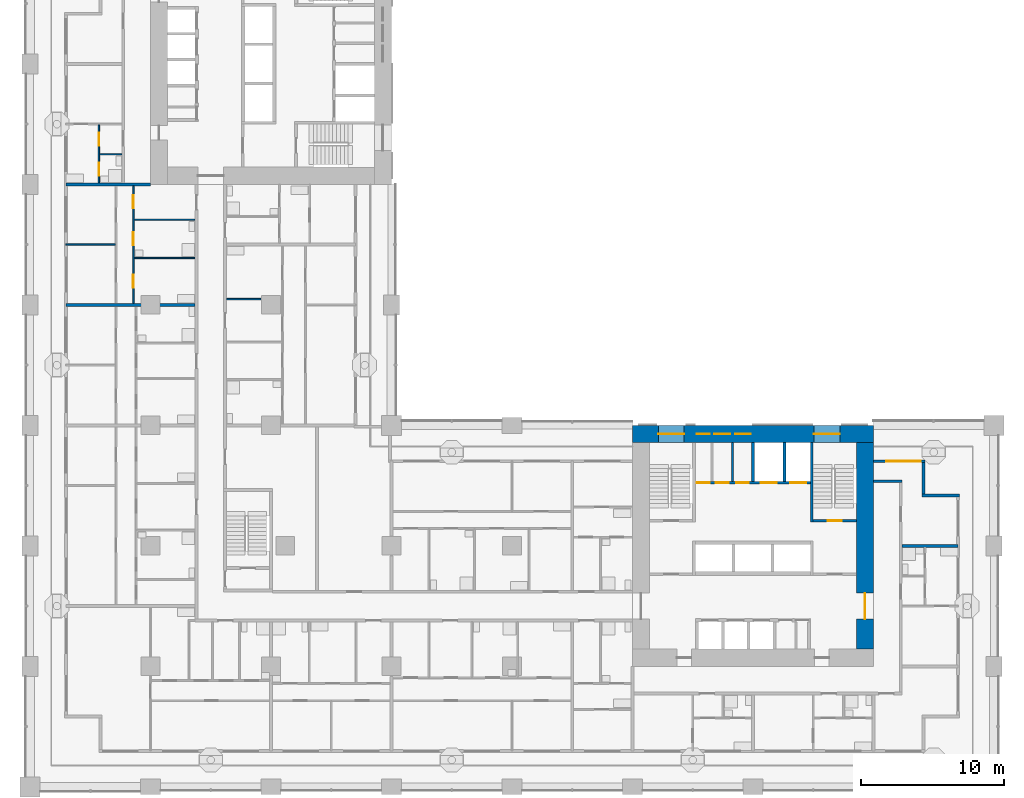
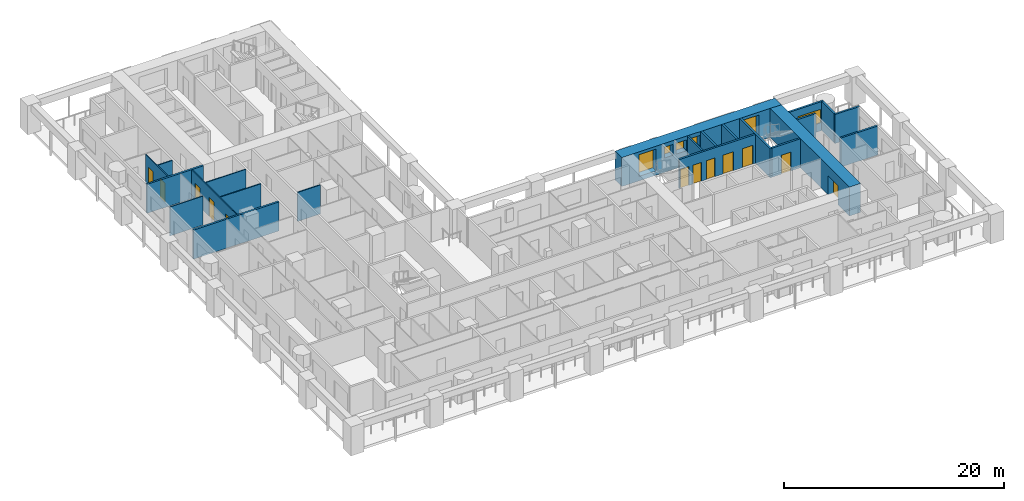
# One storey, part 8 of 22: 22 walls, 12 doors, 6 windows, 18 openings.
"""IFC4 building model written with IfcOpenShell, lengths in metres."""

from ifc_helpers import new_model, si_unit, direction, frame, frame_2d, origin, place, context, subcontext, project, spatial, rectangle, extrude, material, layer, layer_set, type_object, element, fill, save


model = new_model("IFC4")

# Units and contexts
model_context = context("Model", 3, precision=1e-05, world=origin(), true_north=direction((0.0, 1.0)))
body_context = subcontext(model_context, "Body", "Model", "MODEL_VIEW")
ifc_project = project(units=[si_unit("LENGTHUNIT", "METRE"), si_unit("AREAUNIT", "SQUARE_METRE"), si_unit("VOLUMEUNIT", "CUBIC_METRE"), si_unit("PLANEANGLEUNIT", "RADIAN"), si_unit("MASSUNIT", "GRAM", prefix="KILO")], contexts=[model_context])

# Site, building, storey
site_placement = place(None, origin())
site = spatial("IfcSite", under=ifc_project, at=site_placement, CompositionType="ELEMENT")
building_placement = place(site_placement, origin())
building = spatial("IfcBuilding", under=site, at=building_placement, Name="Vermilion Gate Residences", CompositionType="ELEMENT")
storey_placement = place(building_placement, frame((0.0, 0.0, 56.699951171875)))
storey = spatial("IfcBuildingStorey", under=building, at=storey_placement, Name="L13", CompositionType="ELEMENT", Elevation=56.699951171875)

# Walls
ifc_material_1 = material(Name="Masonry blockwork", Category="masonry")
ifc_layer_1 = layer(ifc_material_1, 0.14990234375)
ifc_layer_set_1 = layer_set([ifc_layer_1], Name="BLOCKWORK PARTITION 150 EI 120")
wall_type_1 = type_object("IfcWallType", Name="BLOCKWORK PARTITION 150 EI 120", PredefinedType="PARTITIONING", material=ifc_layer_set_1)
wall_1_placement = place(storey_placement, frame((48.965087890625, 21.300048828125, 0.0), z_axis=(0.0, 0.0, 1.0), x_axis=(0.0, 1.0, 0.0)))
element("IfcWall", 1, at=wall_1_placement, inside=storey, type_object=wall_type_1, Name="Core room partition A13-NR-P1", PredefinedType="PARTITIONING", context=body_context, shape_type="SweptSolid", body=[
    extrude(rectangle(XDim=2.699951171875, YDim=0.14990234375, at=frame_2d((1.35009765625, 0.0))), origin(), (0.0, 0.0, 1.0), 3.219970703125),
])
ifc_material_2 = material(Name="Insulated steel stud wall with terracotta rainscreen", Category="masonry")
ifc_layer_2 = layer(ifc_material_2, 0.199951171875)
ifc_layer_set_2 = layer_set([ifc_layer_2], Name="EXTERNAL WALL 200 TERRACOTTA RAINSCREEN")
wall_type_2 = type_object("IfcWallType", Name="EXTERNAL WALL 200 TERRACOTTA RAINSCREEN", PredefinedType="SOLIDWALL", material=ifc_layer_set_2)
wall_2_placement = place(storey_placement, frame((64.800048828125, 20.300048828125, 0.0), z_axis=(0.0, 0.0, 1.0), x_axis=(-1.0, 0.0, 0.0)))
element("IfcWall", 2, at=wall_2_placement, inside=storey, type_object=wall_type_2, Name="External wall", PredefinedType="SOLIDWALL", context=body_context, shape_type="SweptSolid", body=[
    extrude(rectangle(XDim=2.60009765625, YDim=0.199951171875, at=frame_2d((1.300048828125, 0.0))), origin(), (0.0, 0.0, 1.0), 3.219970703125),
])
wall_3_placement = place(storey_placement, frame((62.300048828125, 20.39990234375, 0.0), z_axis=(0.0, 0.0, 1.0), x_axis=(0.0, 1.0, 0.0)))
element("IfcWall", 3, at=wall_3_placement, inside=storey, type_object=wall_type_2, Name="External wall", PredefinedType="SOLIDWALL", context=body_context, shape_type="SweptSolid", body=[
    extrude(rectangle(XDim=2.2001953125, YDim=0.199951171875, at=frame_2d((1.10009765625, 0.0))), origin(), (0.0, 0.0, 1.0), 3.219970703125),
])

# Wall, opening, window
wall_4_placement = place(storey_placement, frame((62.39990234375, 22.699951171875, 0.0), z_axis=(0.0, 0.0, 1.0), x_axis=(-1.0, 0.0, 0.0)))
wall_4 = element("IfcWall", 4, at=wall_4_placement, inside=storey, type_object=wall_type_2, Name="External wall", PredefinedType="SOLIDWALL", context=body_context, shape_type="SweptSolid", body=[
    extrude(rectangle(XDim=3.599853515625, YDim=0.199951171875, at=frame_2d((1.7998046875, 0.0))), origin(), (0.0, 0.0, 1.0), 3.219970703125),
])
opening_1_placement = place(wall_4_placement, frame((0.300048828125, 0.0, 0.89990234375)))
opening_1 = element("IfcOpeningElement", 5, at=opening_1_placement, cuts=wall_4, Name="Opening WE13032", PredefinedType="OPENING", context=body_context, shape_type="SweptSolid", body=[
    extrude(rectangle(XDim=2.39990234375, YDim=1.5, at=frame_2d((1.199951171875, 0.75))), frame((0.0, 0.10986328125, 0.0), z_axis=(0.0, -1.0, 0.0), x_axis=(1.0, 0.0, 0.0)), (0.0, 0.0, 1.0), 0.219970703125),
])
ifc_material_3 = material(Name="Aluminium and clear glass", Category="aluminium")
window_type_1 = type_object("IfcWindowType", Name="WINDOW 2400 X 1500", PartitioningType="SINGLE_PANEL", PredefinedType="WINDOW", material=ifc_material_3)
window_1_placement = place(opening_1_placement, origin())
window_1 = element("IfcWindow", 6, at=window_1_placement, inside=storey, type_object=window_type_1, Name="Window", OverallHeight=1.5, OverallWidth=2.39990234375, PartitioningType="SINGLE_PANEL", PredefinedType="WINDOW", context=body_context, shape_type="SweptSolid", body=[
    extrude(rectangle(XDim=2.39990234375, YDim=1.5, at=frame_2d((1.199951171875, 0.75))), frame((0.0, 0.030029296875, 0.0), z_axis=(0.0, -1.0, 0.0), x_axis=(1.0, 0.0, 0.0)), (0.0, 0.0, 1.0), 0.06005859375),
])
fill(opening_1, window_1)

# Walls
ifc_material_4 = material(Name="Plasterboard on steel studs", Category="steel")
ifc_layer_3 = layer(ifc_material_4, 0.10009765625)
ifc_layer_set_3 = layer_set([ifc_layer_3], Name="PARTITION 100")
wall_type_3 = type_object("IfcWallType", Name="PARTITION 100", PredefinedType="PARTITIONING", material=ifc_layer_set_3)
wall_5_placement = place(storey_placement, frame((13.699951171875, 34.0, 0.0), z_axis=(0.0, 0.0, 1.0), x_axis=(1.0, 0.0, 0.0)))
element("IfcWall", 7, at=wall_5_placement, inside=storey, type_object=wall_type_3, Name="Partition", PredefinedType="PARTITIONING", context=body_context, shape_type="SweptSolid", body=[
    extrude(rectangle(XDim=2.400146484375, YDim=0.10009765625, at=frame_2d((1.2001953125, 0.0))), origin(), (0.0, 0.0, 1.0), 3.219970703125),
])
wall_6_placement = place(storey_placement, frame((7.25, 36.866943359375, 0.0), z_axis=(0.0, 0.0, 1.0), x_axis=(1.0, 0.0, 0.0)))
element("IfcWall", 8, at=wall_6_placement, inside=storey, type_object=wall_type_3, Name="Partition", PredefinedType="PARTITIONING", context=body_context, shape_type="SweptSolid", body=[
    extrude(rectangle(XDim=4.25, YDim=0.10009765625, at=frame_2d((2.125, 0.0))), origin(), (0.0, 0.0, 1.0), 3.219970703125),
])
wall_7_placement = place(storey_placement, frame((2.5, 37.800048828125, 0.0), z_axis=(0.0, 0.0, 1.0), x_axis=(1.0, 0.0, 0.0)))
element("IfcWall", 9, at=wall_7_placement, inside=storey, type_object=wall_type_3, Name="Partition", PredefinedType="PARTITIONING", context=body_context, shape_type="SweptSolid", body=[
    extrude(rectangle(XDim=3.449951171875, YDim=0.10009765625, at=frame_2d((1.72509765625, 0.0))), origin(), (0.0, 0.0, 1.0), 3.219970703125),
])
wall_8_placement = place(storey_placement, frame((7.25, 39.532958984375, 0.0), z_axis=(0.0, 0.0, 1.0), x_axis=(1.0, 0.0, 0.0)))
element("IfcWall", 10, at=wall_8_placement, inside=storey, type_object=wall_type_3, Name="Partition", PredefinedType="PARTITIONING", context=body_context, shape_type="SweptSolid", body=[
    extrude(rectangle(XDim=4.25, YDim=0.10009765625, at=frame_2d((2.125, 0.0))), origin(), (0.0, 0.0, 1.0), 3.219970703125),
])
wall_9_placement = place(storey_placement, frame((4.85009765625, 44.10009765625, 0.0), z_axis=(0.0, 0.0, 1.0), x_axis=(1.0, 0.0, 0.0)))
element("IfcWall", 11, at=wall_9_placement, inside=storey, type_object=wall_type_3, Name="Partition", PredefinedType="PARTITIONING", context=body_context, shape_type="SweptSolid", body=[
    extrude(rectangle(XDim=1.5498046875, YDim=0.10009765625, at=frame_2d((0.77490234375, 0.0))), origin(), (0.0, 0.0, 1.0), 3.219970703125),
])

# Wall, openings, doors
wall_10_placement = place(storey_placement, frame((4.800048828125, 42.10009765625, 0.0), z_axis=(0.0, 0.0, 1.0), x_axis=(0.0, 1.0, 0.0)))
wall_10 = element("IfcWall", 12, at=wall_10_placement, inside=storey, type_object=wall_type_3, Name="Partition", PredefinedType="PARTITIONING", context=body_context, shape_type="SweptSolid", body=[
    extrude(rectangle(XDim=4.0498046875, YDim=0.10009765625, at=frame_2d((2.02490234375, 0.0))), origin(), (0.0, 0.0, 1.0), 3.219970703125),
])
opening_2_placement = place(wall_10_placement, frame((2.60009765625, 0.0, 0.0)))
opening_2 = element("IfcOpeningElement", 13, at=opening_2_placement, cuts=wall_10, Name="Opening DA13045", PredefinedType="OPENING", context=body_context, shape_type="SweptSolid", body=[
    extrude(rectangle(XDim=0.89990234375, YDim=2.10009765625, at=frame_2d((0.449951171875, 1.050048828125))), frame((0.0, 0.06005859375, 0.0), z_axis=(0.0, -1.0, 0.0), x_axis=(1.0, 0.0, 0.0)), (0.0, 0.0, 1.0), 0.1201171875),
])
opening_3_placement = place(wall_10_placement, frame((0.5, 0.0, 0.0)))
opening_3 = element("IfcOpeningElement", 14, at=opening_3_placement, cuts=wall_10, Name="Opening DA13046", PredefinedType="OPENING", context=body_context, shape_type="SweptSolid", body=[
    extrude(rectangle(XDim=0.89990234375, YDim=2.10009765625, at=frame_2d((0.449951171875, 1.050048828125))), frame((0.0, 0.06005859375, 0.0), z_axis=(0.0, -1.0, 0.0), x_axis=(1.0, 0.0, 0.0)), (0.0, 0.0, 1.0), 0.1201171875),
])
ifc_material_5 = material(Name="Timber", Category="wood")
door_type_1 = type_object("IfcDoorType", Name="INTERIOR DOOR 900 X 2100", OperationType="SINGLE_SWING_LEFT", PredefinedType="DOOR", material=ifc_material_5)
door_1_placement = place(opening_2_placement, origin())
door_1 = element("IfcDoor", 15, at=door_1_placement, inside=storey, type_object=door_type_1, Name="Interior door", OperationType="SINGLE_SWING_RIGHT", OverallHeight=2.10009765625, OverallWidth=0.89990234375, PredefinedType="DOOR", context=body_context, shape_type="SweptSolid", body=[
    extrude(rectangle(XDim=0.89990234375, YDim=2.10009765625, at=frame_2d((0.449951171875, 1.050048828125))), frame((0.0, 0.02490234375, 0.0), z_axis=(0.0, -1.0, 0.0), x_axis=(1.0, 0.0, 0.0)), (0.0, 0.0, 1.0), 0.050048828125),
])
fill(opening_2, door_1)
door_2_placement = place(opening_3_placement, frame((0.89990234375, 0.0, 0.0), z_axis=(0.0, 0.0, 1.0), x_axis=(-1.0, 0.0, 0.0)))
door_2 = element("IfcDoor", 16, at=door_2_placement, inside=storey, type_object=door_type_1, Name="Interior door", OperationType="SINGLE_SWING_RIGHT", OverallHeight=2.10009765625, OverallWidth=0.89990234375, PredefinedType="DOOR", context=body_context, shape_type="SweptSolid", body=[
    extrude(rectangle(XDim=0.89990234375, YDim=2.10009765625, at=frame_2d((0.449951171875, 1.050048828125))), frame((0.0, 0.02490234375, 0.0), z_axis=(0.0, -1.0, 0.0), x_axis=(1.0, 0.0, 0.0)), (0.0, 0.0, 1.0), 0.050048828125),
])
fill(opening_3, door_2)

wall_11_placement = place(storey_placement, frame((7.199951171875, 33.699951171875, 0.0), z_axis=(0.0, 0.0, 1.0), x_axis=(0.0, 1.0, 0.0)))
wall_11 = element("IfcWall", 17, at=wall_11_placement, inside=storey, type_object=wall_type_3, Name="Partition", PredefinedType="PARTITIONING", context=body_context, shape_type="SweptSolid", body=[
    extrude(rectangle(XDim=8.199951171875, YDim=0.10009765625, at=frame_2d((4.10009765625, 0.0))), origin(), (0.0, 0.0, 1.0), 3.219970703125),
])
opening_4_placement = place(wall_11_placement, frame((6.633056640625, 0.0, 0.0)))
opening_4 = element("IfcOpeningElement", 18, at=opening_4_placement, cuts=wall_11, Name="Opening DA13055", PredefinedType="OPENING", context=body_context, shape_type="SweptSolid", body=[
    extrude(rectangle(XDim=0.89990234375, YDim=2.10009765625, at=frame_2d((0.449951171875, 1.050048828125))), frame((0.0, 0.06005859375, 0.0), z_axis=(0.0, -1.0, 0.0), x_axis=(1.0, 0.0, 0.0)), (0.0, 0.0, 1.0), 0.1201171875),
])
opening_5_placement = place(wall_11_placement, frame((1.10009765625, 0.0, 0.0)))
opening_5 = element("IfcOpeningElement", 19, at=opening_5_placement, cuts=wall_11, Name="Opening DA13056", PredefinedType="OPENING", context=body_context, shape_type="SweptSolid", body=[
    extrude(rectangle(XDim=0.89990234375, YDim=2.10009765625, at=frame_2d((0.449951171875, 1.050048828125))), frame((0.0, 0.06005859375, 0.0), z_axis=(0.0, -1.0, 0.0), x_axis=(1.0, 0.0, 0.0)), (0.0, 0.0, 1.0), 0.1201171875),
])
opening_6_placement = place(wall_11_placement, frame((4.06689453125, 0.0, 0.0)))
opening_6 = element("IfcOpeningElement", 20, at=opening_6_placement, cuts=wall_11, Name="Opening DA13057", PredefinedType="OPENING", context=body_context, shape_type="SweptSolid", body=[
    extrude(rectangle(XDim=0.89990234375, YDim=2.10009765625, at=frame_2d((0.449951171875, 1.050048828125))), frame((0.0, 0.06005859375, 0.0), z_axis=(0.0, -1.0, 0.0), x_axis=(1.0, 0.0, 0.0)), (0.0, 0.0, 1.0), 0.1201171875),
])
door_3_placement = place(opening_4_placement, origin())
door_3 = element("IfcDoor", 21, at=door_3_placement, inside=storey, type_object=door_type_1, Name="Interior door", OperationType="SINGLE_SWING_RIGHT", OverallHeight=2.10009765625, OverallWidth=0.89990234375, PredefinedType="DOOR", context=body_context, shape_type="SweptSolid", body=[
    extrude(rectangle(XDim=0.89990234375, YDim=2.10009765625, at=frame_2d((0.449951171875, 1.050048828125))), frame((0.0, 0.02490234375, 0.0), z_axis=(0.0, -1.0, 0.0), x_axis=(1.0, 0.0, 0.0)), (0.0, 0.0, 1.0), 0.050048828125),
])
fill(opening_4, door_3)
door_4_placement = place(opening_5_placement, frame((0.89990234375, 0.0, 0.0), z_axis=(0.0, 0.0, 1.0), x_axis=(-1.0, 0.0, 0.0)))
door_4 = element("IfcDoor", 22, at=door_4_placement, inside=storey, type_object=door_type_1, Name="Interior door", OperationType="SINGLE_SWING_RIGHT", OverallHeight=2.10009765625, OverallWidth=0.89990234375, PredefinedType="DOOR", context=body_context, shape_type="SweptSolid", body=[
    extrude(rectangle(XDim=0.89990234375, YDim=2.10009765625, at=frame_2d((0.449951171875, 1.050048828125))), frame((0.0, 0.02490234375, 0.0), z_axis=(0.0, -1.0, 0.0), x_axis=(1.0, 0.0, 0.0)), (0.0, 0.0, 1.0), 0.050048828125),
])
fill(opening_5, door_4)
door_5_placement = place(opening_6_placement, frame((0.89990234375, 0.0, 0.0), z_axis=(0.0, 0.0, 1.0), x_axis=(-1.0, 0.0, 0.0)))
door_5 = element("IfcDoor", 23, at=door_5_placement, inside=storey, type_object=door_type_1, Name="Interior door", OperationType="SINGLE_SWING_RIGHT", OverallHeight=2.10009765625, OverallWidth=0.89990234375, PredefinedType="DOOR", context=body_context, shape_type="SweptSolid", body=[
    extrude(rectangle(XDim=0.89990234375, YDim=2.10009765625, at=frame_2d((0.449951171875, 1.050048828125))), frame((0.0, 0.02490234375, 0.0), z_axis=(0.0, -1.0, 0.0), x_axis=(1.0, 0.0, 0.0)), (0.0, 0.0, 1.0), 0.050048828125),
])
fill(opening_6, door_5)

# Walls
ifc_material_6 = material(Name="Fire-rated plasterboard on steel studs", Category="steel")
ifc_layer_4 = layer(ifc_material_6, 0.199951171875)
ifc_layer_set_4 = layer_set([ifc_layer_4], Name="PARTY WALL 200 EI 120")
wall_type_4 = type_object("IfcWallType", Name="PARTY WALL 200 EI 120", PredefinedType="PARTITIONING", material=ifc_layer_set_4)
wall_12_placement = place(storey_placement, frame((60.800048828125, 16.800048828125, 0.0), z_axis=(0.0, 0.0, 1.0), x_axis=(1.0, 0.0, 0.0)))
element("IfcWall", 24, at=wall_12_placement, inside=storey, type_object=wall_type_4, Name="Party and corridor wall", PredefinedType="PARTITIONING", context=body_context, shape_type="SweptSolid", body=[
    extrude(rectangle(XDim=3.89990234375, YDim=0.199951171875, at=frame_2d((1.949951171875, 0.0))), origin(), (0.0, 0.0, 1.0), 3.219970703125),
])
wall_13_placement = place(storey_placement, frame((58.800048828125, 21.300048828125, 0.0), z_axis=(0.0, 0.0, 1.0), x_axis=(1.0, 0.0, 0.0)))
element("IfcWall", 25, at=wall_13_placement, inside=storey, type_object=wall_type_4, Name="Party and corridor wall", PredefinedType="PARTITIONING", context=body_context, shape_type="SweptSolid", body=[
    extrude(rectangle(XDim=2.0, YDim=0.199951171875, at=frame_2d((1.0, 0.0))), origin(), (0.0, 0.0, 1.0), 3.219970703125),
])
wall_14_placement = place(storey_placement, frame((2.5, 33.60009765625, 0.0), z_axis=(0.0, 0.0, 1.0), x_axis=(1.0, 0.0, 0.0)))
element("IfcWall", 26, at=wall_14_placement, inside=storey, type_object=wall_type_4, Name="Party and corridor wall", PredefinedType="PARTITIONING", context=body_context, shape_type="SweptSolid", body=[
    extrude(rectangle(XDim=9.0, YDim=0.199951171875, at=frame_2d((4.5, 0.0))), origin(), (0.0, 0.0, 1.0), 3.219970703125),
])
wall_15_placement = place(storey_placement, frame((2.5, 42.0, 0.0), z_axis=(0.0, 0.0, 1.0), x_axis=(1.0, 0.0, 0.0)))
element("IfcWall", 27, at=wall_15_placement, inside=storey, type_object=wall_type_4, Name="Party and corridor wall", PredefinedType="PARTITIONING", context=body_context, shape_type="SweptSolid", body=[
    extrude(rectangle(XDim=5.89990234375, YDim=0.199951171875, at=frame_2d((2.949951171875, 0.0))), origin(), (0.0, 0.0, 1.0), 3.219970703125),
])
ifc_material_7 = material(Name="Concrete C60", Category="concrete")
ifc_layer_5 = layer(ifc_material_7, 0.199951171875)
ifc_layer_set_5 = layer_set([ifc_layer_5], Name="RC CORE INTERNAL WALL 200 C60")
wall_type_5 = type_object("IfcWallType", Name="RC CORE INTERNAL WALL 200 C60", PredefinedType="SHEAR", material=ifc_layer_set_5)
for number, where, z_axis, x_axis, name in (
    (28, (50.39990234375, 21.300048828125, 0.0), (0.0, 0.0, 1.0), (0.0, 1.0, 0.0), "Core internal wall A13-FF-D0"),
    (29, (52.60009765625, 21.300048828125, 0.0), (0.0, 0.0, 1.0), (0.0, 1.0, 0.0), "Core internal wall A13-FF-D1"),
):
    element("IfcWall", number, at=place(storey_placement, frame(where, z_axis=z_axis, x_axis=x_axis)), inside=storey, type_object=wall_type_5, Name=name, PredefinedType="SHEAR", context=body_context, shape_type="SweptSolid", body=[
        extrude(rectangle(XDim=2.699951171875, YDim=0.199951171875, at=frame_2d((1.35009765625, 0.0))), origin(), (0.0, 0.0, 1.0), 3.219970703125),
    ])

# Wall, openings, doors
wall_16_placement = place(storey_placement, frame((46.39990234375, 21.199951171875, 0.0), z_axis=(0.0, 0.0, 1.0), x_axis=(1.0, 0.0, 0.0)))
wall_16 = element("IfcWall", 30, at=wall_16_placement, inside=storey, type_object=wall_type_5, Name="Core internal wall A13-FF-F", PredefinedType="SHEAR", context=body_context, shape_type="SweptSolid", body=[
    extrude(rectangle(XDim=8.0, YDim=0.199951171875, at=frame_2d((4.0, 0.0))), origin(), (0.0, 0.0, 1.0), 3.219970703125),
])
opening_7_placement = place(wall_16_placement, frame((0.090087890625, 0.0, 0.0)))
opening_7 = element("IfcOpeningElement", 31, at=opening_7_placement, cuts=wall_16, Name="Opening DK13010", PredefinedType="OPENING", context=body_context, shape_type="SweptSolid", body=[
    extrude(rectangle(XDim=0.89990234375, YDim=2.10009765625, at=frame_2d((0.449951171875, 1.050048828125))), frame((0.0, 0.10986328125, 0.0), z_axis=(0.0, -1.0, 0.0), x_axis=(1.0, 0.0, 0.0)), (0.0, 0.0, 1.0), 0.219970703125),
])
opening_8_placement = place(wall_16_placement, frame((1.409912109375, 0.0, 0.0)))
opening_8 = element("IfcOpeningElement", 32, at=opening_8_placement, cuts=wall_16, Name="Opening DK13011", PredefinedType="OPENING", context=body_context, shape_type="SweptSolid", body=[
    extrude(rectangle(XDim=0.89990234375, YDim=2.10009765625, at=frame_2d((0.449951171875, 1.050048828125))), frame((0.0, 0.10986328125, 0.0), z_axis=(0.0, -1.0, 0.0), x_axis=(1.0, 0.0, 0.0)), (0.0, 0.0, 1.0), 0.219970703125),
])
opening_9_placement = place(wall_16_placement, frame((2.820068359375, 0.0, 0.0)))
opening_9 = element("IfcOpeningElement", 33, at=opening_9_placement, cuts=wall_16, Name="Opening DK13012", PredefinedType="OPENING", context=body_context, shape_type="SweptSolid", body=[
    extrude(rectangle(XDim=0.89990234375, YDim=2.10009765625, at=frame_2d((0.449951171875, 1.050048828125))), frame((0.0, 0.10986328125, 0.0), z_axis=(0.0, -1.0, 0.0), x_axis=(1.0, 0.0, 0.0)), (0.0, 0.0, 1.0), 0.219970703125),
])
opening_10_placement = place(wall_16_placement, frame((4.550048828125, 0.0, 0.0)))
opening_10 = element("IfcOpeningElement", 34, at=opening_10_placement, cuts=wall_16, Name="Opening LD", PredefinedType="OPENING", context=body_context, shape_type="SweptSolid", body=[
    extrude(rectangle(XDim=1.10009765625, YDim=2.10009765625, at=frame_2d((0.550048828125, 1.050048828125))), frame((0.0, 0.10986328125, 0.0), z_axis=(0.0, -1.0, 0.0), x_axis=(1.0, 0.0, 0.0)), (0.0, 0.0, 1.0), 0.219970703125),
])
opening_11_placement = place(wall_16_placement, frame((6.60009765625, 0.0, 0.0)))
opening_11 = element("IfcOpeningElement", 35, at=opening_11_placement, cuts=wall_16, Name="Opening LD", PredefinedType="OPENING", context=body_context, shape_type="SweptSolid", body=[
    extrude(rectangle(XDim=1.10009765625, YDim=2.10009765625, at=frame_2d((0.550048828125, 1.050048828125))), frame((0.0, 0.10986328125, 0.0), z_axis=(0.0, -1.0, 0.0), x_axis=(1.0, 0.0, 0.0)), (0.0, 0.0, 1.0), 0.219970703125),
])
ifc_material_8 = material(Name="Stainless steel", Category="steel")
door_type_2 = type_object("IfcDoorType", Name="LIFT LANDING DOOR E60 1100 X 2100", OperationType="DOUBLE_DOOR_SLIDING", PredefinedType="DOOR", material=ifc_material_8)
door_6_placement = place(opening_10_placement, origin())
door_6 = element("IfcDoor", 36, at=door_6_placement, inside=storey, type_object=door_type_2, Name="Lift landing door LFA1", OperationType="DOUBLE_DOOR_SLIDING", OverallHeight=2.10009765625, OverallWidth=1.10009765625, PredefinedType="DOOR", context=body_context, shape_type="SweptSolid", body=[
    extrude(rectangle(XDim=1.10009765625, YDim=2.10009765625, at=frame_2d((0.550048828125, 1.050048828125))), frame((0.0, 0.02490234375, 0.0), z_axis=(0.0, -1.0, 0.0), x_axis=(1.0, 0.0, 0.0)), (0.0, 0.0, 1.0), 0.050048828125),
])
fill(opening_10, door_6)
door_7_placement = place(opening_11_placement, origin())
door_7 = element("IfcDoor", 37, at=door_7_placement, inside=storey, type_object=door_type_2, Name="Lift landing door LCA1", OperationType="DOUBLE_DOOR_SLIDING", OverallHeight=2.10009765625, OverallWidth=1.10009765625, PredefinedType="DOOR", context=body_context, shape_type="SweptSolid", body=[
    extrude(rectangle(XDim=1.10009765625, YDim=2.10009765625, at=frame_2d((0.550048828125, 1.050048828125))), frame((0.0, 0.02490234375, 0.0), z_axis=(0.0, -1.0, 0.0), x_axis=(1.0, 0.0, 0.0)), (0.0, 0.0, 1.0), 0.050048828125),
])
fill(opening_11, door_7)
ifc_material_9 = material(Name="Steel", Category="steel")
door_type_3 = type_object("IfcDoorType", Name="SERVICE ROOM DOOR FD60 900 X 2100", OperationType="SINGLE_SWING_LEFT", PredefinedType="DOOR", material=ifc_material_9)
door_8_placement = place(opening_7_placement, origin())
door_8 = element("IfcDoor", 38, at=door_8_placement, inside=storey, type_object=door_type_3, Name="Housekeeping store A13", OperationType="SINGLE_SWING_RIGHT", OverallHeight=2.10009765625, OverallWidth=0.89990234375, PredefinedType="DOOR", context=body_context, shape_type="SweptSolid", body=[
    extrude(rectangle(XDim=0.89990234375, YDim=2.10009765625, at=frame_2d((0.449951171875, 1.050048828125))), frame((0.0, 0.02490234375, 0.0), z_axis=(0.0, -1.0, 0.0), x_axis=(1.0, 0.0, 0.0)), (0.0, 0.0, 1.0), 0.050048828125),
])
fill(opening_7, door_8)
door_9_placement = place(opening_8_placement, origin())
door_9 = element("IfcDoor", 39, at=door_9_placement, inside=storey, type_object=door_type_3, Name="Mail room A13", OperationType="SINGLE_SWING_LEFT", OverallHeight=2.10009765625, OverallWidth=0.89990234375, PredefinedType="DOOR", context=body_context, shape_type="SweptSolid", body=[
    extrude(rectangle(XDim=0.89990234375, YDim=2.10009765625, at=frame_2d((0.449951171875, 1.050048828125))), frame((0.0, 0.02490234375, 0.0), z_axis=(0.0, -1.0, 0.0), x_axis=(1.0, 0.0, 0.0)), (0.0, 0.0, 1.0), 0.050048828125),
])
fill(opening_8, door_9)
door_10_placement = place(opening_9_placement, origin())
door_10 = element("IfcDoor", 40, at=door_10_placement, inside=storey, type_object=door_type_3, Name="Electrical riser A13", OperationType="SINGLE_SWING_LEFT", OverallHeight=2.10009765625, OverallWidth=0.89990234375, PredefinedType="DOOR", context=body_context, shape_type="SweptSolid", body=[
    extrude(rectangle(XDim=0.89990234375, YDim=2.10009765625, at=frame_2d((0.449951171875, 1.050048828125))), frame((0.0, 0.02490234375, 0.0), z_axis=(0.0, -1.0, 0.0), x_axis=(1.0, 0.0, 0.0)), (0.0, 0.0, 1.0), 0.050048828125),
])
fill(opening_9, door_10)

# Wall
wall_17_placement = place(storey_placement, frame((54.5, 18.449951171875, 0.0), z_axis=(0.0, 0.0, 1.0), x_axis=(0.0, 1.0, 0.0)))
element("IfcWall", 41, at=wall_17_placement, inside=storey, type_object=wall_type_5, Name="Core internal wall A13-EDIV2", PredefinedType="SHEAR", context=body_context, shape_type="SweptSolid", body=[
    extrude(rectangle(XDim=5.550048828125, YDim=0.199951171875, at=frame_2d((2.77490234375, 0.0))), origin(), (0.0, 0.0, 1.0), 3.219970703125),
])

# Wall, opening, door
wall_18_placement = place(storey_placement, frame((54.60009765625, 18.550048828125, 0.0), z_axis=(0.0, 0.0, 1.0), x_axis=(1.0, 0.0, 0.0)))
wall_18 = element("IfcWall", 42, at=wall_18_placement, inside=storey, type_object=wall_type_5, Name="Core internal wall A13-STE-S", PredefinedType="SHEAR", context=body_context, shape_type="SweptSolid", body=[
    extrude(rectangle(XDim=3.0, YDim=0.199951171875, at=frame_2d((1.5, 0.0))), origin(), (0.0, 0.0, 1.0), 3.219970703125),
])
opening_12_placement = place(wall_18_placement, frame((1.0, 0.0, 0.0)))
opening_12 = element("IfcOpeningElement", 43, at=opening_12_placement, cuts=wall_18, Name="Opening DK13018", PredefinedType="OPENING", context=body_context, shape_type="SweptSolid", body=[
    extrude(rectangle(XDim=1.0, YDim=2.10009765625, at=frame_2d((0.5, 1.050048828125))), frame((0.0, 0.10986328125, 0.0), z_axis=(0.0, -1.0, 0.0), x_axis=(1.0, 0.0, 0.0)), (0.0, 0.0, 1.0), 0.219970703125),
])
ifc_material_10 = material(Name="Steel", Category="steel")
door_type_4 = type_object("IfcDoorType", Name="FIRE DOOR FD60 1000 X 2100", OperationType="SINGLE_SWING_LEFT", PredefinedType="DOOR", material=ifc_material_10)
door_11_placement = place(opening_12_placement, origin())
door_11 = element("IfcDoor", 44, at=door_11_placement, inside=storey, type_object=door_type_4, Name="Stair door A13", OperationType="SINGLE_SWING_LEFT", OverallHeight=2.10009765625, OverallWidth=1.0, PredefinedType="DOOR", context=body_context, shape_type="SweptSolid", body=[
    extrude(rectangle(XDim=1.0, YDim=2.10009765625, at=frame_2d((0.5, 1.050048828125))), frame((0.0, 0.02490234375, 0.0), z_axis=(0.0, -1.0, 0.0), x_axis=(1.0, 0.0, 0.0)), (0.0, 0.0, 1.0), 0.050048828125),
])
fill(opening_12, door_11)

ifc_material_11 = material(Name="Concrete C80", Category="concrete")
ifc_layer_6 = layer(ifc_material_11, 1.199951171875)
ifc_layer_set_6 = layer_set([ifc_layer_6], Name="RC CORE WALL 1200 C80")
wall_type_6 = type_object("IfcWallType", Name="RC CORE WALL 1200 C80", PredefinedType="SHEAR", material=ifc_layer_set_6)
wall_19_placement = place(storey_placement, frame((58.199951171875, 9.60009765625, 0.0), z_axis=(0.0, 0.0, 1.0), x_axis=(0.0, 1.0, 0.0)))
wall_19 = element("IfcWall", 45, at=wall_19_placement, inside=storey, type_object=wall_type_6, Name="Core wall A13-OUT-BK", PredefinedType="SHEAR", context=body_context, shape_type="SweptSolid", body=[
    extrude(rectangle(XDim=14.39990234375, YDim=1.199951171875, at=frame_2d((7.199951171875, 0.0))), origin(), (0.0, 0.0, 1.0), 3.219970703125),
])
opening_13_placement = place(wall_19_placement, frame((2.10009765625, 0.0, 0.0)))
opening_13 = element("IfcOpeningElement", 46, at=opening_13_placement, cuts=wall_19, Name="Opening DK13004", PredefinedType="OPENING", context=body_context, shape_type="SweptSolid", body=[
    extrude(rectangle(XDim=1.800048828125, YDim=2.10009765625, at=frame_2d((0.89990234375, 1.050048828125))), frame((0.0, 0.60986328125, 0.0), z_axis=(0.0, -1.0, 0.0), x_axis=(1.0, 0.0, 0.0)), (0.0, 0.0, 1.0), 1.219970703125),
])
ifc_material_12 = material(Name="Steel", Category="steel")
door_type_5 = type_object("IfcDoorType", Name="CORE LOBBY DOOR FD60 1800 X 2100", OperationType="DOUBLE_DOOR_SINGLE_SWING", PredefinedType="DOOR", material=ifc_material_12)
door_12_placement = place(opening_13_placement, origin())
door_12 = element("IfcDoor", 47, at=door_12_placement, inside=storey, type_object=door_type_5, Name="Core lobby door A13", OperationType="DOUBLE_DOOR_SINGLE_SWING", OverallHeight=2.10009765625, OverallWidth=1.800048828125, PredefinedType="DOOR", context=body_context, shape_type="SweptSolid", body=[
    extrude(rectangle(XDim=1.800048828125, YDim=2.10009765625, at=frame_2d((0.89990234375, 1.050048828125))), frame((0.0, 0.02490234375, 0.0), z_axis=(0.0, -1.0, 0.0), x_axis=(1.0, 0.0, 0.0)), (0.0, 0.0, 1.0), 0.050048828125),
])
fill(opening_13, door_12)

# Wall, openings, windows
ifc_material_13 = material(Name="Concrete C80 red-oxide pigmented", Category="concrete")
ifc_layer_7 = layer(ifc_material_13, 1.199951171875)
ifc_layer_set_7 = layer_set([ifc_layer_7], Name="RC CORE WALL 1200 C80 RED OXIDE")
wall_type_7 = type_object("IfcWallType", Name="RC CORE WALL 1200 C80 RED OXIDE", PredefinedType="SHEAR", material=ifc_layer_set_7)
wall_20_placement = place(storey_placement, frame((42.0, 24.60009765625, 0.0), z_axis=(0.0, 0.0, 1.0), x_axis=(1.0, 0.0, 0.0)))
wall_20 = element("IfcWall", 48, at=wall_20_placement, inside=storey, type_object=wall_type_7, Name="Core wall A13-OUT-B1", PredefinedType="SHEAR", context=body_context, shape_type="SweptSolid", body=[
    extrude(rectangle(XDim=16.800048828125, YDim=1.199951171875, at=frame_2d((8.39990234375, 0.0))), origin(), (0.0, 0.0, 1.0), 3.219970703125),
])
opening_14_placement = place(wall_20_placement, frame((1.800048828125, 0.0, 0.5)))
opening_14 = element("IfcOpeningElement", 49, at=opening_14_placement, cuts=wall_20, Name="Opening WKA1301", PredefinedType="OPENING", context=body_context, shape_type="SweptSolid", body=[
    extrude(rectangle(XDim=1.800048828125, YDim=2.39990234375, at=frame_2d((0.89990234375, 1.199951171875))), frame((0.0, 0.60986328125, 0.0), z_axis=(0.0, -1.0, 0.0), x_axis=(1.0, 0.0, 0.0)), (0.0, 0.0, 1.0), 1.219970703125),
])
opening_15_placement = place(wall_20_placement, frame((4.489990234375, 0.0, 1.60009765625)))
opening_15 = element("IfcOpeningElement", 50, at=opening_15_placement, cuts=wall_20, Name="Opening WKA1302", PredefinedType="OPENING", context=body_context, shape_type="SweptSolid", body=[
    extrude(rectangle(XDim=0.89990234375, YDim=1.199951171875, at=frame_2d((0.449951171875, 0.60009765625))), frame((0.0, 0.60986328125, 0.0), z_axis=(0.0, -1.0, 0.0), x_axis=(1.0, 0.0, 0.0)), (0.0, 0.0, 1.0), 1.219970703125),
])
opening_16_placement = place(wall_20_placement, frame((5.7099609375, 0.0, 1.60009765625)))
opening_16 = element("IfcOpeningElement", 51, at=opening_16_placement, cuts=wall_20, Name="Opening WKA1303", PredefinedType="OPENING", context=body_context, shape_type="SweptSolid", body=[
    extrude(rectangle(XDim=1.10009765625, YDim=1.199951171875, at=frame_2d((0.550048828125, 0.60009765625))), frame((0.0, 0.60986328125, 0.0), z_axis=(0.0, -1.0, 0.0), x_axis=(1.0, 0.0, 0.0)), (0.0, 0.0, 1.0), 1.219970703125),
])
opening_17_placement = place(wall_20_placement, frame((7.14990234375, 0.0, 1.60009765625)))
opening_17 = element("IfcOpeningElement", 52, at=opening_17_placement, cuts=wall_20, Name="Opening WKA1304", PredefinedType="OPENING", context=body_context, shape_type="SweptSolid", body=[
    extrude(rectangle(XDim=1.10009765625, YDim=1.199951171875, at=frame_2d((0.550048828125, 0.60009765625))), frame((0.0, 0.60986328125, 0.0), z_axis=(0.0, -1.0, 0.0), x_axis=(1.0, 0.0, 0.0)), (0.0, 0.0, 1.0), 1.219970703125),
])
opening_18_placement = place(wall_20_placement, frame((12.64990234375, 0.0, 0.5)))
opening_18 = element("IfcOpeningElement", 53, at=opening_18_placement, cuts=wall_20, Name="Opening WKA1305", PredefinedType="OPENING", context=body_context, shape_type="SweptSolid", body=[
    extrude(rectangle(XDim=1.800048828125, YDim=2.39990234375, at=frame_2d((0.89990234375, 1.199951171875))), frame((0.0, 0.60986328125, 0.0), z_axis=(0.0, -1.0, 0.0), x_axis=(1.0, 0.0, 0.0)), (0.0, 0.0, 1.0), 1.219970703125),
])
ifc_material_14 = material(Name="Aluminium frame with louvre blades", Category="aluminium")
window_type_2 = type_object("IfcWindowType", Name="CORE LOUVRE 1100 X 1200", PartitioningType="SINGLE_PANEL", PredefinedType="WINDOW", material=ifc_material_14)
window_2_placement = place(opening_16_placement, origin())
window_2 = element("IfcWindow", 54, at=window_2_placement, inside=storey, type_object=window_type_2, Name="Core louvre", OverallHeight=1.199951171875, OverallWidth=1.10009765625, PartitioningType="SINGLE_PANEL", PredefinedType="WINDOW", context=body_context, shape_type="SweptSolid", body=[
    extrude(rectangle(XDim=1.10009765625, YDim=1.199951171875, at=frame_2d((0.550048828125, 0.60009765625))), frame((0.0, 0.030029296875, 0.0), z_axis=(0.0, -1.0, 0.0), x_axis=(1.0, 0.0, 0.0)), (0.0, 0.0, 1.0), 0.06005859375),
])
fill(opening_16, window_2)
window_3_placement = place(opening_17_placement, origin())
window_3 = element("IfcWindow", 55, at=window_3_placement, inside=storey, type_object=window_type_2, Name="Core louvre", OverallHeight=1.199951171875, OverallWidth=1.10009765625, PartitioningType="SINGLE_PANEL", PredefinedType="WINDOW", context=body_context, shape_type="SweptSolid", body=[
    extrude(rectangle(XDim=1.10009765625, YDim=1.199951171875, at=frame_2d((0.550048828125, 0.60009765625))), frame((0.0, 0.030029296875, 0.0), z_axis=(0.0, -1.0, 0.0), x_axis=(1.0, 0.0, 0.0)), (0.0, 0.0, 1.0), 0.06005859375),
])
fill(opening_17, window_3)
ifc_material_15 = material(Name="Aluminium frame with louvre blades", Category="aluminium")
window_type_3 = type_object("IfcWindowType", Name="CORE LOUVRE 900 X 1200", PartitioningType="SINGLE_PANEL", PredefinedType="WINDOW", material=ifc_material_15)
window_4_placement = place(opening_15_placement, origin())
window_4 = element("IfcWindow", 56, at=window_4_placement, inside=storey, type_object=window_type_3, Name="Core louvre", OverallHeight=1.199951171875, OverallWidth=0.89990234375, PartitioningType="SINGLE_PANEL", PredefinedType="WINDOW", context=body_context, shape_type="SweptSolid", body=[
    extrude(rectangle(XDim=0.89990234375, YDim=1.199951171875, at=frame_2d((0.449951171875, 0.60009765625))), frame((0.0, 0.030029296875, 0.0), z_axis=(0.0, -1.0, 0.0), x_axis=(1.0, 0.0, 0.0)), (0.0, 0.0, 1.0), 0.06005859375),
])
fill(opening_15, window_4)
ifc_material_16 = material(Name="Aluminium and clear glass", Category="aluminium")
window_type_4 = type_object("IfcWindowType", Name="CORE STAIR WINDOW 1800 X 2400", PartitioningType="SINGLE_PANEL", PredefinedType="WINDOW", material=ifc_material_16)
window_5_placement = place(opening_14_placement, origin())
window_5 = element("IfcWindow", 57, at=window_5_placement, inside=storey, type_object=window_type_4, Name="Core stair window", OverallHeight=2.39990234375, OverallWidth=1.800048828125, PartitioningType="SINGLE_PANEL", PredefinedType="WINDOW", context=body_context, shape_type="SweptSolid", body=[
    extrude(rectangle(XDim=1.800048828125, YDim=2.39990234375, at=frame_2d((0.89990234375, 1.199951171875))), frame((0.0, 0.030029296875, 0.0), z_axis=(0.0, -1.0, 0.0), x_axis=(1.0, 0.0, 0.0)), (0.0, 0.0, 1.0), 0.06005859375),
])
fill(opening_14, window_5)
window_6_placement = place(opening_18_placement, origin())
window_6 = element("IfcWindow", 58, at=window_6_placement, inside=storey, type_object=window_type_4, Name="Core stair window", OverallHeight=2.39990234375, OverallWidth=1.800048828125, PartitioningType="SINGLE_PANEL", PredefinedType="WINDOW", context=body_context, shape_type="SweptSolid", body=[
    extrude(rectangle(XDim=1.800048828125, YDim=2.39990234375, at=frame_2d((0.89990234375, 1.199951171875))), frame((0.0, 0.030029296875, 0.0), z_axis=(0.0, -1.0, 0.0), x_axis=(1.0, 0.0, 0.0)), (0.0, 0.0, 1.0), 0.06005859375),
])
fill(opening_18, window_6)

save(model, "model.ifc")
